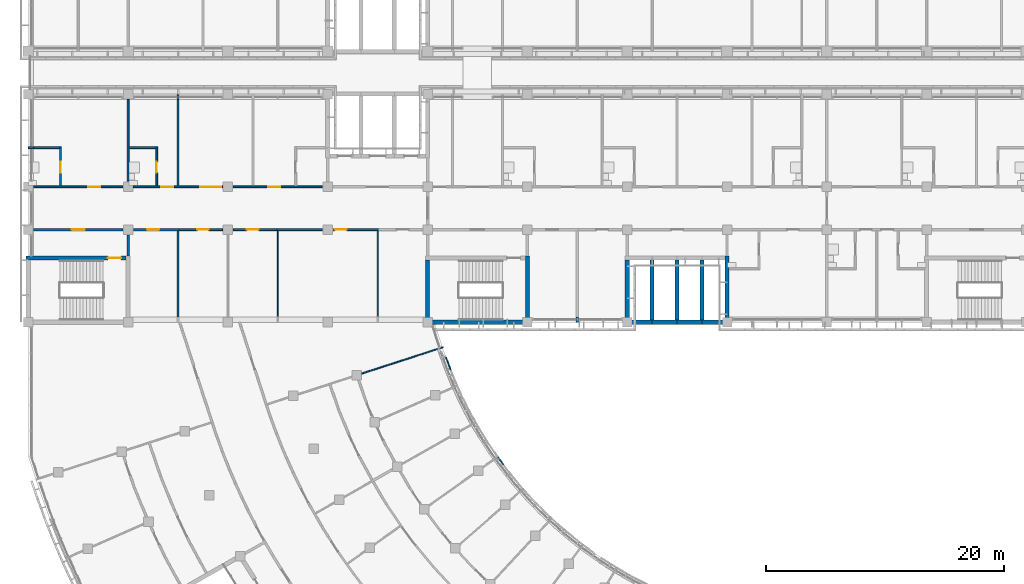
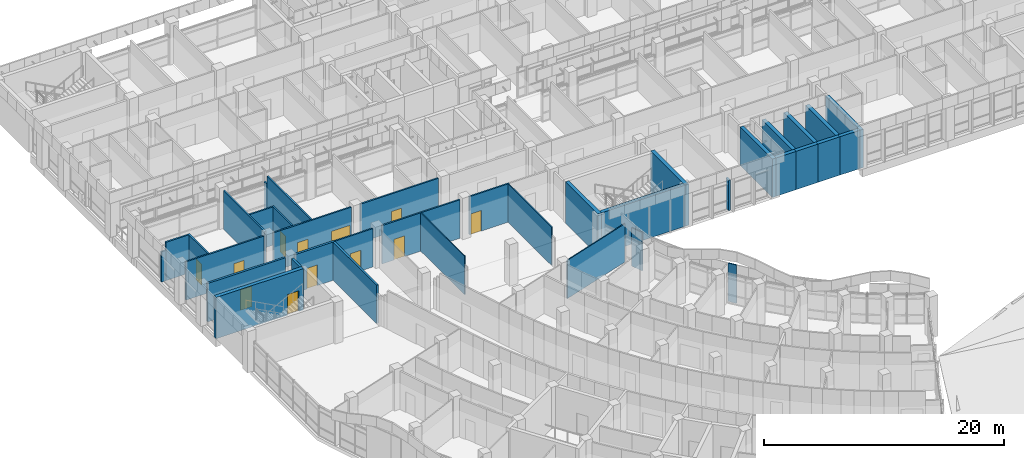
# One storey, part 73 of 137: 38 walls, 12 doors, 12 openings.
"""IFC4 building model written with IfcOpenShell, lengths in metres."""

from ifc_helpers import new_model, si_unit, direction, frame, frame_2d, origin, place, context, subcontext, project, spatial, rectangle, extrude, material, layer, layer_set, type_object, element, fill, save


model = new_model("IFC4")

# Units and contexts
model_context = context("Model", 3, precision=1e-05, world=origin(), true_north=direction((0.0, 1.0)))
body_context = subcontext(model_context, "Body", "Model", "MODEL_VIEW")
ifc_project = project(units=[si_unit("LENGTHUNIT", "METRE"), si_unit("AREAUNIT", "SQUARE_METRE"), si_unit("VOLUMEUNIT", "CUBIC_METRE"), si_unit("PLANEANGLEUNIT", "RADIAN"), si_unit("MASSUNIT", "GRAM", prefix="KILO")], contexts=[model_context])

# Site, building, storey
site_placement = place(None, origin())
site = spatial("IfcSite", under=ifc_project, at=site_placement, CompositionType="ELEMENT")
building_placement = place(site_placement, origin())
building = spatial("IfcBuilding", under=site, at=building_placement, Name="Bougainvillea Quay General Hospital", CompositionType="ELEMENT")
storey_placement = place(building_placement, frame((0.0, 0.0, 16.800048828125)))
storey = spatial("IfcBuildingStorey", under=building, at=storey_placement, Name="L03", CompositionType="ELEMENT", Elevation=16.800048828125)

# Walls
ifc_material_1 = material(Name="Gypsum board partition on steel studs", Category="steel")
ifc_layer_1 = layer(ifc_material_1, 0.10009765625)
ifc_layer_set_1 = layer_set([ifc_layer_1], Name="Gypsum board partition on steel studs")
wall_type_1 = type_object("IfcWallType", Name="Partition 100 Gypsum board partition", PredefinedType="PARTITIONING", material=ifc_layer_set_1)
for number, where, z_axis, x_axis, name in (
    (1, (63.0, 118.050048828125, 0.0), (0.0, 0.0, 1.0), (0.0, 1.0, 0.0), "Partition 100 mm"),
    (2, (71.39990234375, 118.050048828125, 0.0), (0.0, 0.0, 1.0), (0.0, 1.0, 0.0), "Partition 100 mm"),
):
    element("IfcWall", number, at=place(storey_placement, frame(where, z_axis=z_axis, x_axis=x_axis)), inside=storey, type_object=wall_type_1, Name=name, PredefinedType="PARTITIONING", context=body_context, shape_type="SweptSolid", body=[
        extrude(rectangle(XDim=7.27490234375, YDim=0.10009765625, at=frame_2d((3.637451171875, 0.0))), origin(), (0.0, 0.0, 1.0), 3.89990234375),
    ])
ifc_layer_2 = layer(ifc_material_1, 0.10009765625)
ifc_layer_set_2 = layer_set([ifc_layer_2], Name="Gypsum board partition on steel studs")
wall_type_2 = type_object("IfcWallType", Name="Partition 100 Gypsum board partition EI 30", PredefinedType="PARTITIONING", material=ifc_layer_set_2)
wall_1_placement = place(storey_placement, frame((70.052001953125, 113.27978515625, 0.0), z_axis=(0.0, 0.0, 1.0), x_axis=(0.951069136727, 0.308978149982, 0.0)))
element("IfcWall", 3, at=wall_1_placement, inside=storey, type_object=wall_type_2, Name="Partition 100 mm EI 30", PredefinedType="PARTITIONING", context=body_context, shape_type="SweptSolid", body=[
    extrude(rectangle(XDim=7.212646484375, YDim=0.10009765625, at=frame_2d((3.6064453125, 0.0))), origin(), (0.0, 0.0, 1.0), 3.89990234375),
])
wall_2_placement = place(storey_placement, frame((77.132080078125, 114.700927734375, 0.0), z_axis=(0.0, 0.0, 1.0), x_axis=(0.350822880831, -0.936441832836, 0.0)))
element("IfcWall", 4, at=wall_2_placement, inside=storey, type_object=wall_type_2, Name="Partition 100 mm EI 30", PredefinedType="PARTITIONING", context=body_context, shape_type="SweptSolid", body=[
    extrude(rectangle(XDim=1.1572265625, YDim=0.10009765625, at=frame_2d((0.57861328125, 0.0))), origin(), (0.0, 0.0, 1.0), 3.89990234375),
])
wall_3_placement = place(storey_placement, frame((81.52880859375, 106.244140625, 0.0), z_axis=(0.0, 0.0, 1.0), x_axis=(0.590281268128, -0.807197636578, 0.0)))
element("IfcWall", 5, at=wall_3_placement, inside=storey, type_object=wall_type_2, Name="Partition 100 mm EI 30", PredefinedType="PARTITIONING", context=body_context, shape_type="SweptSolid", body=[
    extrude(rectangle(XDim=0.76318359375, YDim=0.10009765625, at=frame_2d((0.381591796875, 0.0))), origin(), (0.0, 0.0, 1.0), 3.89990234375),
])
ifc_material_2 = material(Name="Gypsum board partition on steel studs, insulated", Category="steel")
ifc_layer_3 = layer(ifc_material_2, 0.14990234375)
ifc_layer_set_3 = layer_set([ifc_layer_3], Name="Gypsum board partition on steel studs, insulated")
wall_type_3 = type_object("IfcWallType", Name="Partition 150 Gypsum board partition", PredefinedType="PARTITIONING", material=ifc_layer_set_3)
wall_4_placement = place(storey_placement, frame((50.39990234375, 129.449951171875, 0.0), z_axis=(0.0, 0.0, 1.0), x_axis=(0.0, 1.0, 0.0)))
element("IfcWall", 6, at=wall_4_placement, inside=storey, type_object=wall_type_3, Name="Partition 150 mm", PredefinedType="PARTITIONING", context=body_context, shape_type="SweptSolid", body=[
    extrude(rectangle(XDim=6.900146484375, YDim=0.14990234375, at=frame_2d((3.4501953125, 0.0))), origin(), (0.0, 0.0, 1.0), 3.89990234375),
])
wall_5_placement = place(storey_placement, frame((54.60009765625, 129.074951171875, 0.0), z_axis=(0.0, 0.0, 1.0), x_axis=(0.0, 1.0, 0.0)))
element("IfcWall", 7, at=wall_5_placement, inside=storey, type_object=wall_type_3, Name="Partition 150 mm", PredefinedType="PARTITIONING", context=body_context, shape_type="SweptSolid", body=[
    extrude(rectangle(XDim=7.275146484375, YDim=0.14990234375, at=frame_2d((3.6376953125, 0.0))), origin(), (0.0, 0.0, 1.0), 3.89990234375),
])
wall_6_placement = place(storey_placement, frame((54.60009765625, 136.35009765625, 0.0), z_axis=(0.0, 0.0, 1.0), x_axis=(0.0, 1.0, 0.0)))
element("IfcWall", 8, at=wall_6_placement, inside=storey, type_object=wall_type_3, Name="Partition 150 mm", PredefinedType="PARTITIONING", context=body_context, shape_type="SweptSolid", body=[
    extrude(rectangle(XDim=0.449951171875, YDim=0.14990234375, at=frame_2d((0.22509765625, 0.0))), origin(), (0.0, 0.0, 1.0), 3.079833984375),
])

# Wall, opening, door
wall_7_placement = place(storey_placement, frame((44.699951171875, 129.074951171875, 0.0), z_axis=(0.0, 0.0, 1.0), x_axis=(0.0, 1.0, 0.0)))
wall_7 = element("IfcWall", 9, at=wall_7_placement, inside=storey, type_object=wall_type_3, Name="Partition 150 mm", PredefinedType="PARTITIONING", context=body_context, shape_type="SweptSolid", body=[
    extrude(rectangle(XDim=3.300048828125, YDim=0.14990234375, at=frame_2d((1.64990234375, 0.0))), origin(), (0.0, 0.0, 1.0), 3.89990234375),
])
opening_1_placement = place(wall_7_placement, frame((1.125, 0.0, 0.0)))
opening_1 = element("IfcOpeningElement", 10, at=opening_1_placement, cuts=wall_7, Name="Opening L03.079", PredefinedType="OPENING", context=body_context, shape_type="SweptSolid", body=[
    extrude(rectangle(XDim=0.89990234375, YDim=2.10009765625, at=frame_2d((0.449951171875, 1.050048828125))), frame((0.0, 0.0849609375, 0.0), z_axis=(0.0, -1.0, 0.0), x_axis=(1.0, 0.0, 0.0)), (0.0, 0.0, 1.0), 0.169921875),
])
ifc_material_3 = material(Name="Solid-core timber door leaf in steel frame", Category="steel")
door_type_1 = type_object("IfcDoorType", Name="Single leaf door 900x2100", OperationType="NOTDEFINED", PredefinedType="DOOR", material=ifc_material_3)
door_1_placement = place(opening_1_placement, origin())
door_1 = element("IfcDoor", 11, at=door_1_placement, inside=storey, type_object=door_type_1, Name="DT07 L03.079", OperationType="SINGLE_SWING_LEFT", OverallHeight=2.10009765625, OverallWidth=0.89990234375, PredefinedType="DOOR", context=body_context, shape_type="SweptSolid", body=[
    extrude(rectangle(XDim=0.89990234375, YDim=2.10009765625, at=frame_2d((0.449951171875, 1.050048828125))), frame((0.0, 0.02490234375, 0.0), z_axis=(0.0, -1.0, 0.0), x_axis=(1.0, 0.0, 0.0)), (0.0, 0.0, 1.0), 0.050048828125),
])
fill(opening_1, door_1)

wall_8_placement = place(storey_placement, frame((52.800048828125, 129.074951171875, 0.0), z_axis=(0.0, 0.0, 1.0), x_axis=(0.0, 1.0, 0.0)))
wall_8 = element("IfcWall", 12, at=wall_8_placement, inside=storey, type_object=wall_type_3, Name="Partition 150 mm", PredefinedType="PARTITIONING", context=body_context, shape_type="SweptSolid", body=[
    extrude(rectangle(XDim=3.300048828125, YDim=0.14990234375, at=frame_2d((1.64990234375, 0.0))), origin(), (0.0, 0.0, 1.0), 3.89990234375),
])
opening_2_placement = place(wall_8_placement, frame((1.125, 0.0, 0.0)))
opening_2 = element("IfcOpeningElement", 13, at=opening_2_placement, cuts=wall_8, Name="Opening L03.081", PredefinedType="OPENING", context=body_context, shape_type="SweptSolid", body=[
    extrude(rectangle(XDim=0.89990234375, YDim=2.10009765625, at=frame_2d((0.449951171875, 1.050048828125))), frame((0.0, 0.0849609375, 0.0), z_axis=(0.0, -1.0, 0.0), x_axis=(1.0, 0.0, 0.0)), (0.0, 0.0, 1.0), 0.169921875),
])
door_2_placement = place(opening_2_placement, origin())
door_2 = element("IfcDoor", 14, at=door_2_placement, inside=storey, type_object=door_type_1, Name="DT07 L03.081", OperationType="SINGLE_SWING_LEFT", OverallHeight=2.10009765625, OverallWidth=0.89990234375, PredefinedType="DOOR", context=body_context, shape_type="SweptSolid", body=[
    extrude(rectangle(XDim=0.89990234375, YDim=2.10009765625, at=frame_2d((0.449951171875, 1.050048828125))), frame((0.0, 0.02490234375, 0.0), z_axis=(0.0, -1.0, 0.0), x_axis=(1.0, 0.0, 0.0)), (0.0, 0.0, 1.0), 0.050048828125),
])
fill(opening_2, door_2)

# Walls
wall_9_placement = place(storey_placement, frame((42.0, 132.300048828125, 0.0), z_axis=(0.0, 0.0, 1.0), x_axis=(1.0, 0.0, 0.0)))
element("IfcWall", 15, at=wall_9_placement, inside=storey, type_object=wall_type_3, Name="Partition 150 mm", PredefinedType="PARTITIONING", context=body_context, shape_type="SweptSolid", body=[
    extrude(rectangle(XDim=0.449951171875, YDim=0.14990234375, at=frame_2d((0.22509765625, 0.0))), origin(), (0.0, 0.0, 1.0), 3.079833984375),
])
wall_10_placement = place(storey_placement, frame((42.449951171875, 132.300048828125, 0.0), z_axis=(0.0, 0.0, 1.0), x_axis=(1.0, 0.0, 0.0)))
element("IfcWall", 16, at=wall_10_placement, inside=storey, type_object=wall_type_3, Name="Partition 150 mm", PredefinedType="PARTITIONING", context=body_context, shape_type="SweptSolid", body=[
    extrude(rectangle(XDim=2.175048828125, YDim=0.14990234375, at=frame_2d((1.08740234375, 0.0))), origin(), (0.0, 0.0, 1.0), 3.89990234375),
])
wall_11_placement = place(storey_placement, frame((50.47509765625, 132.300048828125, 0.0), z_axis=(0.0, 0.0, 1.0), x_axis=(1.0, 0.0, 0.0)))
element("IfcWall", 17, at=wall_11_placement, inside=storey, type_object=wall_type_3, Name="Partition 150 mm", PredefinedType="PARTITIONING", context=body_context, shape_type="SweptSolid", body=[
    extrude(rectangle(XDim=2.25, YDim=0.14990234375, at=frame_2d((1.125, 0.0))), origin(), (0.0, 0.0, 1.0), 3.89990234375),
])

# Wall, opening, door
ifc_layer_4 = layer(ifc_material_2, 0.14990234375)
ifc_layer_set_4 = layer_set([ifc_layer_4], Name="Gypsum board partition on steel studs, insulated")
wall_type_4 = type_object("IfcWallType", Name="Partition 150 Gypsum board partition EI 30", PredefinedType="PARTITIONING", material=ifc_layer_set_4)
wall_12_placement = place(storey_placement, frame((66.75, 129.0, 0.0), z_axis=(0.0, 0.0, 1.0), x_axis=(-1.0, 0.0, 0.0)))
wall_12 = element("IfcWall", 18, at=wall_12_placement, inside=storey, type_object=wall_type_4, Name="Partition 150 mm EI 30", PredefinedType="PARTITIONING", context=body_context, shape_type="SweptSolid", body=[
    extrude(rectangle(XDim=7.5, YDim=0.14990234375, at=frame_2d((3.75, 0.0))), origin(), (0.0, 0.0, 1.0), 3.89990234375),
])
opening_3_placement = place(wall_12_placement, frame((3.550048828125, 0.0, 0.0)))
opening_3 = element("IfcOpeningElement", 19, at=opening_3_placement, cuts=wall_12, Name="Opening L03.083", PredefinedType="OPENING", context=body_context, shape_type="SweptSolid", body=[
    extrude(rectangle(XDim=1.0, YDim=2.10009765625, at=frame_2d((0.5, 1.050048828125))), frame((0.0, 0.0849609375, 0.0), z_axis=(0.0, -1.0, 0.0), x_axis=(1.0, 0.0, 0.0)), (0.0, 0.0, 1.0), 0.169921875),
])
door_type_2 = type_object("IfcDoorType", Name="Single leaf door 1000x2100 FD30S", OperationType="NOTDEFINED", PredefinedType="DOOR", material=ifc_material_3)
door_3_placement = place(opening_3_placement, frame((1.0, 0.0, 0.0), z_axis=(0.0, 0.0, 1.0), x_axis=(-1.0, 0.0, 0.0)))
door_3 = element("IfcDoor", 20, at=door_3_placement, inside=storey, type_object=door_type_2, Name="DT15 L03.083", OperationType="SINGLE_SWING_LEFT", OverallHeight=2.10009765625, OverallWidth=1.0, PredefinedType="DOOR", context=body_context, shape_type="SweptSolid", body=[
    extrude(rectangle(XDim=1.0, YDim=2.10009765625, at=frame_2d((0.5, 1.050048828125))), frame((0.0, 0.02490234375, 0.0), z_axis=(0.0, -1.0, 0.0), x_axis=(1.0, 0.0, 0.0)), (0.0, 0.0, 1.0), 0.050048828125),
])
fill(opening_3, door_3)

# Wall, openings, doors
wall_13_placement = place(storey_placement, frame((58.35009765625, 129.0, 0.0), z_axis=(0.0, 0.0, 1.0), x_axis=(-1.0, 0.0, 0.0)))
wall_13 = element("IfcWall", 21, at=wall_13_placement, inside=storey, type_object=wall_type_4, Name="Partition 150 mm EI 30", PredefinedType="PARTITIONING", context=body_context, shape_type="SweptSolid", body=[
    extrude(rectangle(XDim=7.5, YDim=0.14990234375, at=frame_2d((3.75, 0.0))), origin(), (0.0, 0.0, 1.0), 3.89990234375),
])
opening_4_placement = place(wall_13_placement, frame((4.14990234375, 0.0, 0.0)))
opening_4 = element("IfcOpeningElement", 22, at=opening_4_placement, cuts=wall_13, Name="Opening L03.080", PredefinedType="OPENING", context=body_context, shape_type="SweptSolid", body=[
    extrude(rectangle(XDim=1.0, YDim=2.10009765625, at=frame_2d((0.5, 1.050048828125))), frame((0.0, 0.0849609375, 0.0), z_axis=(0.0, -1.0, 0.0), x_axis=(1.0, 0.0, 0.0)), (0.0, 0.0, 1.0), 0.169921875),
])
opening_5_placement = place(wall_13_placement, frame((0.10009765625, 0.0, 0.0)))
opening_5 = element("IfcOpeningElement", 23, at=opening_5_placement, cuts=wall_13, Name="Opening L03.082", PredefinedType="OPENING", context=body_context, shape_type="SweptSolid", body=[
    extrude(rectangle(XDim=1.800048828125, YDim=2.10009765625, at=frame_2d((0.89990234375, 1.050048828125))), frame((0.0, 0.0849609375, 0.0), z_axis=(0.0, -1.0, 0.0), x_axis=(1.0, 0.0, 0.0)), (0.0, 0.0, 1.0), 0.169921875),
])
ifc_material_4 = material(Name="Solid-core timber door leaves in steel frame", Category="steel")
door_type_3 = type_object("IfcDoorType", Name="Double leaf door 1800x2100 FD30S", OperationType="DOUBLE_DOOR_SINGLE_SWING", PredefinedType="DOOR", material=ifc_material_4)
door_4_placement = place(opening_5_placement, frame((1.800048828125, 0.0, 0.0), z_axis=(0.0, 0.0, 1.0), x_axis=(-1.0, 0.0, 0.0)))
door_4 = element("IfcDoor", 24, at=door_4_placement, inside=storey, type_object=door_type_3, Name="DT17 L03.082", OperationType="DOUBLE_DOOR_SINGLE_SWING", OverallHeight=2.10009765625, OverallWidth=1.800048828125, PredefinedType="DOOR", context=body_context, shape_type="SweptSolid", body=[
    extrude(rectangle(XDim=1.800048828125, YDim=2.10009765625, at=frame_2d((0.89990234375, 1.050048828125))), frame((0.0, 0.02490234375, 0.0), z_axis=(0.0, -1.0, 0.0), x_axis=(1.0, 0.0, 0.0)), (0.0, 0.0, 1.0), 0.050048828125),
])
fill(opening_5, door_4)
door_5_placement = place(opening_4_placement, frame((1.0, 0.0, 0.0), z_axis=(0.0, 0.0, 1.0), x_axis=(-1.0, 0.0, 0.0)))
door_5 = element("IfcDoor", 25, at=door_5_placement, inside=storey, type_object=door_type_2, Name="DT15 L03.080", OperationType="SINGLE_SWING_LEFT", OverallHeight=2.10009765625, OverallWidth=1.0, PredefinedType="DOOR", context=body_context, shape_type="SweptSolid", body=[
    extrude(rectangle(XDim=1.0, YDim=2.10009765625, at=frame_2d((0.5, 1.050048828125))), frame((0.0, 0.02490234375, 0.0), z_axis=(0.0, -1.0, 0.0), x_axis=(1.0, 0.0, 0.0)), (0.0, 0.0, 1.0), 0.050048828125),
])
fill(opening_4, door_5)

# Wall, opening, door
wall_14_placement = place(storey_placement, frame((49.949951171875, 129.0, 0.0), z_axis=(0.0, 0.0, 1.0), x_axis=(-1.0, 0.0, 0.0)))
wall_14 = element("IfcWall", 26, at=wall_14_placement, inside=storey, type_object=wall_type_4, Name="Partition 150 mm EI 30", PredefinedType="PARTITIONING", context=body_context, shape_type="SweptSolid", body=[
    extrude(rectangle(XDim=7.5, YDim=0.14990234375, at=frame_2d((3.75, 0.0))), origin(), (0.0, 0.0, 1.0), 3.89990234375),
])
opening_6_placement = place(wall_14_placement, frame((1.89990234375, 0.0, 0.0)))
opening_6 = element("IfcOpeningElement", 27, at=opening_6_placement, cuts=wall_14, Name="Opening L03.078", PredefinedType="OPENING", context=body_context, shape_type="SweptSolid", body=[
    extrude(rectangle(XDim=1.0, YDim=2.10009765625, at=frame_2d((0.5, 1.050048828125))), frame((0.0, 0.0849609375, 0.0), z_axis=(0.0, -1.0, 0.0), x_axis=(1.0, 0.0, 0.0)), (0.0, 0.0, 1.0), 0.169921875),
])
door_6_placement = place(opening_6_placement, frame((1.0, 0.0, 0.0), z_axis=(0.0, 0.0, 1.0), x_axis=(-1.0, 0.0, 0.0)))
door_6 = element("IfcDoor", 28, at=door_6_placement, inside=storey, type_object=door_type_2, Name="DT15 L03.078", OperationType="SINGLE_SWING_RIGHT", OverallHeight=2.10009765625, OverallWidth=1.0, PredefinedType="DOOR", context=body_context, shape_type="SweptSolid", body=[
    extrude(rectangle(XDim=1.0, YDim=2.10009765625, at=frame_2d((0.5, 1.050048828125))), frame((0.0, 0.02490234375, 0.0), z_axis=(0.0, -1.0, 0.0), x_axis=(1.0, 0.0, 0.0)), (0.0, 0.0, 1.0), 0.050048828125),
])
fill(opening_6, door_6)

# Wall
wall_15_placement = place(storey_placement, frame((62.925048828125, 125.39990234375, 0.0), z_axis=(0.0, 0.0, 1.0), x_axis=(1.0, 0.0, 0.0)))
element("IfcWall", 29, at=wall_15_placement, inside=storey, type_object=wall_type_4, Name="Partition 150 mm EI 30", PredefinedType="PARTITIONING", context=body_context, shape_type="SweptSolid", body=[
    extrude(rectangle(XDim=3.824951171875, YDim=0.14990234375, at=frame_2d((1.91259765625, 0.0))), origin(), (0.0, 0.0, 1.0), 3.89990234375),
])

# Wall, opening, door
wall_16_placement = place(storey_placement, frame((67.64990234375, 125.39990234375, 0.0), z_axis=(0.0, 0.0, 1.0), x_axis=(1.0, 0.0, 0.0)))
wall_16 = element("IfcWall", 30, at=wall_16_placement, inside=storey, type_object=wall_type_4, Name="Partition 150 mm EI 30", PredefinedType="PARTITIONING", context=body_context, shape_type="SweptSolid", body=[
    extrude(rectangle(XDim=3.8251953125, YDim=0.14990234375, at=frame_2d((1.91259765625, 0.0))), origin(), (0.0, 0.0, 1.0), 3.89990234375),
])
opening_7_placement = place(wall_16_placement, frame((0.14990234375, 0.0, 0.0)))
opening_7 = element("IfcOpeningElement", 31, at=opening_7_placement, cuts=wall_16, Name="Opening L03.087", PredefinedType="OPENING", context=body_context, shape_type="SweptSolid", body=[
    extrude(rectangle(XDim=1.0, YDim=2.10009765625, at=frame_2d((0.5, 1.050048828125))), frame((0.0, 0.0849609375, 0.0), z_axis=(0.0, -1.0, 0.0), x_axis=(1.0, 0.0, 0.0)), (0.0, 0.0, 1.0), 0.169921875),
])
door_7_placement = place(opening_7_placement, frame((1.0, 0.0, 0.0), z_axis=(0.0, 0.0, 1.0), x_axis=(-1.0, 0.0, 0.0)))
door_7 = element("IfcDoor", 32, at=door_7_placement, inside=storey, type_object=door_type_2, Name="DT15 L03.087", OperationType="SINGLE_SWING_RIGHT", OverallHeight=2.10009765625, OverallWidth=1.0, PredefinedType="DOOR", context=body_context, shape_type="SweptSolid", body=[
    extrude(rectangle(XDim=1.0, YDim=2.10009765625, at=frame_2d((0.5, 1.050048828125))), frame((0.0, 0.02490234375, 0.0), z_axis=(0.0, -1.0, 0.0), x_axis=(1.0, 0.0, 0.0)), (0.0, 0.0, 1.0), 0.050048828125),
])
fill(opening_7, door_7)

ifc_layer_5 = layer(ifc_material_2, 0.14990234375)
ifc_layer_set_5 = layer_set([ifc_layer_5], Name="Gypsum board partition on steel studs, insulated")
wall_type_5 = type_object("IfcWallType", Name="Partition 150 Gypsum board partition EI 60", PredefinedType="PARTITIONING", material=ifc_layer_set_5)
wall_17_placement = place(storey_placement, frame((54.699951171875, 125.39990234375, 0.0), z_axis=(0.0, 0.0, 1.0), x_axis=(1.0, 0.0, 0.0)))
wall_17 = element("IfcWall", 33, at=wall_17_placement, inside=storey, type_object=wall_type_5, Name="Partition 150 mm EI 60", PredefinedType="PARTITIONING", context=body_context, shape_type="SweptSolid", body=[
    extrude(rectangle(XDim=3.650146484375, YDim=0.14990234375, at=frame_2d((1.8251953125, 0.0))), origin(), (0.0, 0.0, 1.0), 3.89990234375),
])
opening_8_placement = place(wall_17_placement, frame((1.5, 0.0, 0.0)))
opening_8 = element("IfcOpeningElement", 34, at=opening_8_placement, cuts=wall_17, Name="Opening L03.085", PredefinedType="OPENING", context=body_context, shape_type="SweptSolid", body=[
    extrude(rectangle(XDim=1.0, YDim=2.10009765625, at=frame_2d((0.5, 1.050048828125))), frame((0.0, 0.0849609375, 0.0), z_axis=(0.0, -1.0, 0.0), x_axis=(1.0, 0.0, 0.0)), (0.0, 0.0, 1.0), 0.169921875),
])
door_type_4 = type_object("IfcDoorType", Name="Single leaf door 1000x2100 FD60", OperationType="NOTDEFINED", PredefinedType="DOOR", material=ifc_material_3)
door_8_placement = place(opening_8_placement, frame((1.0, 0.0, 0.0), z_axis=(0.0, 0.0, 1.0), x_axis=(-1.0, 0.0, 0.0)))
door_8 = element("IfcDoor", 35, at=door_8_placement, inside=storey, type_object=door_type_4, Name="DT14 L03.085", OperationType="SINGLE_SWING_LEFT", OverallHeight=2.10009765625, OverallWidth=1.0, PredefinedType="DOOR", context=body_context, shape_type="SweptSolid", body=[
    extrude(rectangle(XDim=1.0, YDim=2.10009765625, at=frame_2d((0.5, 1.050048828125))), frame((0.0, 0.02490234375, 0.0), z_axis=(0.0, -1.0, 0.0), x_axis=(1.0, 0.0, 0.0)), (0.0, 0.0, 1.0), 0.050048828125),
])
fill(opening_8, door_8)

wall_18_placement = place(storey_placement, frame((59.25, 125.39990234375, 0.0), z_axis=(0.0, 0.0, 1.0), x_axis=(1.0, 0.0, 0.0)))
wall_18 = element("IfcWall", 36, at=wall_18_placement, inside=storey, type_object=wall_type_5, Name="Partition 150 mm EI 60", PredefinedType="PARTITIONING", context=body_context, shape_type="SweptSolid", body=[
    extrude(rectangle(XDim=3.675048828125, YDim=0.14990234375, at=frame_2d((1.83740234375, 0.0))), origin(), (0.0, 0.0, 1.0), 3.89990234375),
])
opening_9_placement = place(wall_18_placement, frame((1.14990234375, 0.0, 0.0)))
opening_9 = element("IfcOpeningElement", 37, at=opening_9_placement, cuts=wall_18, Name="Opening L03.086", PredefinedType="OPENING", context=body_context, shape_type="SweptSolid", body=[
    extrude(rectangle(XDim=1.0, YDim=2.10009765625, at=frame_2d((0.5, 1.050048828125))), frame((0.0, 0.0849609375, 0.0), z_axis=(0.0, -1.0, 0.0), x_axis=(1.0, 0.0, 0.0)), (0.0, 0.0, 1.0), 0.169921875),
])
door_9_placement = place(opening_9_placement, frame((1.0, 0.0, 0.0), z_axis=(0.0, 0.0, 1.0), x_axis=(-1.0, 0.0, 0.0)))
door_9 = element("IfcDoor", 38, at=door_9_placement, inside=storey, type_object=door_type_4, Name="DT14 L03.086", OperationType="SINGLE_SWING_RIGHT", OverallHeight=2.10009765625, OverallWidth=1.0, PredefinedType="DOOR", context=body_context, shape_type="SweptSolid", body=[
    extrude(rectangle(XDim=1.0, YDim=2.10009765625, at=frame_2d((0.5, 1.050048828125))), frame((0.0, 0.02490234375, 0.0), z_axis=(0.0, -1.0, 0.0), x_axis=(1.0, 0.0, 0.0)), (0.0, 0.0, 1.0), 0.050048828125),
])
fill(opening_9, door_9)

ifc_material_5 = material(Name="Fire-rated autoclaved aerated block wall, plastered")
ifc_layer_6 = layer(ifc_material_5, 0.199951171875)
ifc_layer_set_6 = layer_set([ifc_layer_6], Name="Fire-rated autoclaved aerated block wall, plastered")
wall_type_6 = type_object("IfcWallType", Name="Partition 200 Fire-rated autoclaved aerated block wall EI 120", PredefinedType="SOLIDWALL", material=ifc_layer_set_6)
wall_19_placement = place(storey_placement, frame((42.449951171875, 125.39990234375, 0.0), z_axis=(0.0, 0.0, 1.0), x_axis=(1.0, 0.0, 0.0)))
wall_19 = element("IfcWall", 39, at=wall_19_placement, inside=storey, type_object=wall_type_6, Name="Partition 200 mm EI 120", PredefinedType="SOLIDWALL", context=body_context, shape_type="SweptSolid", body=[
    extrude(rectangle(XDim=7.5, YDim=0.199951171875, at=frame_2d((3.75, 0.0))), origin(), (0.0, 0.0, 1.0), 3.89990234375),
])
opening_10_placement = place(wall_19_placement, frame((3.199951171875, 0.0, 0.0)))
opening_10 = element("IfcOpeningElement", 40, at=opening_10_placement, cuts=wall_19, Name="Opening L03.206", PredefinedType="OPENING", context=body_context, shape_type="SweptSolid", body=[
    extrude(rectangle(XDim=1.10009765625, YDim=2.10009765625, at=frame_2d((0.550048828125, 1.050048828125))), frame((0.0, 0.10986328125, 0.0), z_axis=(0.0, -1.0, 0.0), x_axis=(1.0, 0.0, 0.0)), (0.0, 0.0, 1.0), 0.219970703125),
])
ifc_material_6 = material(Name="Steel fire door leaf in steel frame", Category="steel")
door_type_5 = type_object("IfcDoorType", Name="Steel single leaf door 1100x2100 FD60", OperationType="NOTDEFINED", PredefinedType="DOOR", material=ifc_material_6)
door_10_placement = place(opening_10_placement, frame((1.10009765625, 0.0, 0.0), z_axis=(0.0, 0.0, 1.0), x_axis=(-1.0, 0.0, 0.0)))
door_10 = element("IfcDoor", 41, at=door_10_placement, inside=storey, type_object=door_type_5, Name="DT04 L03.206", OperationType="SINGLE_SWING_LEFT", OverallHeight=2.10009765625, OverallWidth=1.10009765625, PredefinedType="DOOR", context=body_context, shape_type="SweptSolid", body=[
    extrude(rectangle(XDim=1.10009765625, YDim=2.10009765625, at=frame_2d((0.550048828125, 1.050048828125))), frame((0.0, 0.02490234375, 0.0), z_axis=(0.0, -1.0, 0.0), x_axis=(1.0, 0.0, 0.0)), (0.0, 0.0, 1.0), 0.050048828125),
])
fill(opening_10, door_10)

wall_20_placement = place(storey_placement, frame((50.85009765625, 125.39990234375, 0.0), z_axis=(0.0, 0.0, 1.0), x_axis=(1.0, 0.0, 0.0)))
wall_20 = element("IfcWall", 42, at=wall_20_placement, inside=storey, type_object=wall_type_6, Name="Partition 200 mm EI 120", PredefinedType="SOLIDWALL", context=body_context, shape_type="SweptSolid", body=[
    extrude(rectangle(XDim=3.849853515625, YDim=0.199951171875, at=frame_2d((1.9248046875, 0.0))), origin(), (0.0, 0.0, 1.0), 3.89990234375),
])
opening_11_placement = place(wall_20_placement, frame((1.14990234375, 0.0, 0.0)))
opening_11 = element("IfcOpeningElement", 43, at=opening_11_placement, cuts=wall_20, Name="Opening L03.132", PredefinedType="OPENING", context=body_context, shape_type="SweptSolid", body=[
    extrude(rectangle(XDim=1.0, YDim=2.10009765625, at=frame_2d((0.5, 1.050048828125))), frame((0.0, 0.10986328125, 0.0), z_axis=(0.0, -1.0, 0.0), x_axis=(1.0, 0.0, 0.0)), (0.0, 0.0, 1.0), 0.219970703125),
])
door_type_6 = type_object("IfcDoorType", Name="Steel single leaf door 1000x2100 FD90", OperationType="NOTDEFINED", PredefinedType="DOOR", material=ifc_material_6)
door_11_placement = place(opening_11_placement, frame((1.0, 0.0, 0.0), z_axis=(0.0, 0.0, 1.0), x_axis=(-1.0, 0.0, 0.0)))
door_11 = element("IfcDoor", 44, at=door_11_placement, inside=storey, type_object=door_type_6, Name="DT11 L03.132", OperationType="SINGLE_SWING_RIGHT", OverallHeight=2.10009765625, OverallWidth=1.0, PredefinedType="DOOR", context=body_context, shape_type="SweptSolid", body=[
    extrude(rectangle(XDim=1.0, YDim=2.10009765625, at=frame_2d((0.5, 1.050048828125))), frame((0.0, 0.02490234375, 0.0), z_axis=(0.0, -1.0, 0.0), x_axis=(1.0, 0.0, 0.0)), (0.0, 0.0, 1.0), 0.050048828125),
])
fill(opening_11, door_11)

# Walls
wall_21_placement = place(storey_placement, frame((50.39990234375, 123.175048828125, 0.0), z_axis=(0.0, 0.0, 1.0), x_axis=(0.0, 1.0, 0.0)))
element("IfcWall", 45, at=wall_21_placement, inside=storey, type_object=wall_type_6, Name="Partition 200 mm EI 120", PredefinedType="SOLIDWALL", context=body_context, shape_type="SweptSolid", body=[
    extrude(rectangle(XDim=1.77490234375, YDim=0.199951171875, at=frame_2d((0.887451171875, 0.0))), origin(), (0.0, 0.0, 1.0), 3.89990234375),
])
wall_22_placement = place(storey_placement, frame((54.60009765625, 118.050048828125, 0.0), z_axis=(0.0, 0.0, 1.0), x_axis=(0.0, 1.0, 0.0)))
element("IfcWall", 46, at=wall_22_placement, inside=storey, type_object=wall_type_6, Name="Partition 200 mm EI 120", PredefinedType="SOLIDWALL", context=body_context, shape_type="SweptSolid", body=[
    extrude(rectangle(XDim=7.25, YDim=0.199951171875, at=frame_2d((3.625, 0.0))), origin(), (0.0, 0.0, 1.0), 3.89990234375),
])
wall_23_placement = place(storey_placement, frame((88.199951171875, 117.60009765625, 0.0), z_axis=(0.0, 0.0, 1.0), x_axis=(0.0, 1.0, 0.0)))
element("IfcWall", 47, at=wall_23_placement, inside=storey, type_object=wall_type_6, Name="Partition 200 mm EI 120", PredefinedType="SOLIDWALL", context=body_context, shape_type="SweptSolid", body=[
    extrude(rectangle(XDim=0.449951171875, YDim=0.199951171875, at=frame_2d((0.22509765625, 0.0))), origin(), (0.0, 0.0, 1.0), 3.079833984375),
])

# Wall, opening, door
ifc_material_7 = material(Name="Concrete C40", Category="concrete")
ifc_layer_7 = layer(ifc_material_7, 0.35009765625)
ifc_layer_set_7 = layer_set([ifc_layer_7], Name="Concrete C40")
wall_type_7 = type_object("IfcWallType", Name="RC SHEAR WALL 350 C40", PredefinedType="SHEAR", material=ifc_layer_set_7)
wall_24_placement = place(storey_placement, frame((41.824951171875, 123.0, 0.0), z_axis=(0.0, 0.0, 1.0), x_axis=(1.0, 0.0, 0.0)))
wall_24 = element("IfcWall", 48, at=wall_24_placement, inside=storey, type_object=wall_type_7, Name="Shear wall L03", PredefinedType="SHEAR", context=body_context, shape_type="SweptSolid", body=[
    extrude(rectangle(XDim=8.400146484375, YDim=0.35009765625, at=frame_2d((4.2001953125, 0.0))), origin(), (0.0, 0.0, 1.0), 4.199951171875),
])
opening_12_placement = place(wall_24_placement, frame((6.875, 0.0, 0.0)))
opening_12 = element("IfcOpeningElement", 49, at=opening_12_placement, cuts=wall_24, Name="Opening L03.205", PredefinedType="OPENING", context=body_context, shape_type="SweptSolid", body=[
    extrude(rectangle(XDim=1.10009765625, YDim=2.10009765625, at=frame_2d((0.550048828125, 1.050048828125))), frame((0.0, 0.18505859375, 0.0), z_axis=(0.0, -1.0, 0.0), x_axis=(1.0, 0.0, 0.0)), (0.0, 0.0, 1.0), 0.3701171875),
])
door_12_placement = place(opening_12_placement, frame((1.10009765625, 0.0, 0.0), z_axis=(0.0, 0.0, 1.0), x_axis=(-1.0, 0.0, 0.0)))
door_12 = element("IfcDoor", 50, at=door_12_placement, inside=storey, type_object=door_type_5, Name="DT04 L03.205", OperationType="SINGLE_SWING_LEFT", OverallHeight=2.10009765625, OverallWidth=1.10009765625, PredefinedType="DOOR", context=body_context, shape_type="SweptSolid", body=[
    extrude(rectangle(XDim=1.10009765625, YDim=2.10009765625, at=frame_2d((0.550048828125, 1.050048828125))), frame((0.0, 0.02490234375, 0.0), z_axis=(0.0, -1.0, 0.0), x_axis=(1.0, 0.0, 0.0)), (0.0, 0.0, 1.0), 0.050048828125),
])
fill(opening_12, door_12)

# Walls
wall_25_placement = place(storey_placement, frame((75.60009765625, 117.425048828125, 0.0), z_axis=(0.0, 0.0, 1.0), x_axis=(0.0, 1.0, 0.0)))
element("IfcWall", 51, at=wall_25_placement, inside=storey, type_object=wall_type_7, Name="Shear wall L03", PredefinedType="SHEAR", context=body_context, shape_type="SweptSolid", body=[
    extrude(rectangle(XDim=5.39990234375, YDim=0.35009765625, at=frame_2d((2.699951171875, 0.0))), origin(), (0.0, 0.0, 1.0), 4.199951171875),
])
wall_26_placement = place(storey_placement, frame((75.77490234375, 117.60009765625, 0.0), z_axis=(0.0, 0.0, 1.0), x_axis=(1.0, 0.0, 0.0)))
element("IfcWall", 52, at=wall_26_placement, inside=storey, type_object=wall_type_7, Name="Shear wall L03", PredefinedType="SHEAR", context=body_context, shape_type="SweptSolid", body=[
    extrude(rectangle(XDim=8.050048828125, YDim=0.35009765625, at=frame_2d((4.02490234375, 0.0))), origin(), (0.0, 0.0, 1.0), 4.199951171875),
])
wall_27_placement = place(storey_placement, frame((84.0, 117.425048828125, 0.0), z_axis=(0.0, 0.0, 1.0), x_axis=(0.0, 1.0, 0.0)))
element("IfcWall", 53, at=wall_27_placement, inside=storey, type_object=wall_type_7, Name="Shear wall L03", PredefinedType="SHEAR", context=body_context, shape_type="SweptSolid", body=[
    extrude(rectangle(XDim=5.75, YDim=0.35009765625, at=frame_2d((2.875, 0.0))), origin(), (0.0, 0.0, 1.0), 4.199951171875),
])
wall_28_placement = place(storey_placement, frame((92.39990234375, 117.425048828125, 0.0), z_axis=(0.0, 0.0, 1.0), x_axis=(0.0, 1.0, 0.0)))
element("IfcWall", 54, at=wall_28_placement, inside=storey, type_object=wall_type_7, Name="Shear wall L03", PredefinedType="SHEAR", context=body_context, shape_type="SweptSolid", body=[
    extrude(rectangle(XDim=5.39990234375, YDim=0.35009765625, at=frame_2d((2.699951171875, 0.0))), origin(), (0.0, 0.0, 1.0), 3.89990234375),
])
wall_29_placement = place(storey_placement, frame((92.574951171875, 117.60009765625, 0.0), z_axis=(0.0, 0.0, 1.0), x_axis=(1.0, 0.0, 0.0)))
element("IfcWall", 55, at=wall_29_placement, inside=storey, type_object=wall_type_7, Name="Shear wall L03", PredefinedType="SHEAR", context=body_context, shape_type="SweptSolid", body=[
    extrude(rectangle(XDim=1.925048828125, YDim=0.35009765625, at=frame_2d((0.96240234375, 0.0))), origin(), (0.0, 0.0, 1.0), 3.89990234375),
])
wall_30_placement = place(storey_placement, frame((94.5, 117.60009765625, 0.0), z_axis=(0.0, 0.0, 1.0), x_axis=(1.0, 0.0, 0.0)))
element("IfcWall", 56, at=wall_30_placement, inside=storey, type_object=wall_type_7, Name="Shear wall L03", PredefinedType="SHEAR", context=body_context, shape_type="SweptSolid", body=[
    extrude(rectangle(XDim=2.10009765625, YDim=0.35009765625, at=frame_2d((1.050048828125, 0.0))), origin(), (0.0, 0.0, 1.0), 3.89990234375),
])
wall_31_placement = place(storey_placement, frame((94.5, 117.77490234375, 0.0), z_axis=(0.0, 0.0, 1.0), x_axis=(0.0, 1.0, 0.0)))
element("IfcWall", 57, at=wall_31_placement, inside=storey, type_object=wall_type_7, Name="Shear wall L03", PredefinedType="SHEAR", context=body_context, shape_type="SweptSolid", body=[
    extrude(rectangle(XDim=5.050048828125, YDim=0.35009765625, at=frame_2d((2.52490234375, 0.0))), origin(), (0.0, 0.0, 1.0), 3.89990234375),
])
wall_32_placement = place(storey_placement, frame((96.60009765625, 117.60009765625, 0.0), z_axis=(0.0, 0.0, 1.0), x_axis=(1.0, 0.0, 0.0)))
element("IfcWall", 58, at=wall_32_placement, inside=storey, type_object=wall_type_7, Name="Shear wall L03", PredefinedType="SHEAR", context=body_context, shape_type="SweptSolid", body=[
    extrude(rectangle(XDim=2.099853515625, YDim=0.35009765625, at=frame_2d((1.0498046875, 0.0))), origin(), (0.0, 0.0, 1.0), 3.89990234375),
])
wall_33_placement = place(storey_placement, frame((96.60009765625, 117.77490234375, 0.0), z_axis=(0.0, 0.0, 1.0), x_axis=(0.0, 1.0, 0.0)))
element("IfcWall", 59, at=wall_33_placement, inside=storey, type_object=wall_type_7, Name="Shear wall L03", PredefinedType="SHEAR", context=body_context, shape_type="SweptSolid", body=[
    extrude(rectangle(XDim=5.050048828125, YDim=0.35009765625, at=frame_2d((2.52490234375, 0.0))), origin(), (0.0, 0.0, 1.0), 3.89990234375),
])
wall_34_placement = place(storey_placement, frame((98.699951171875, 117.60009765625, 0.0), z_axis=(0.0, 0.0, 1.0), x_axis=(1.0, 0.0, 0.0)))
element("IfcWall", 60, at=wall_34_placement, inside=storey, type_object=wall_type_7, Name="Shear wall L03", PredefinedType="SHEAR", context=body_context, shape_type="SweptSolid", body=[
    extrude(rectangle(XDim=1.925048828125, YDim=0.35009765625, at=frame_2d((0.96240234375, 0.0))), origin(), (0.0, 0.0, 1.0), 3.89990234375),
])
wall_35_placement = place(storey_placement, frame((98.699951171875, 117.77490234375, 0.0), z_axis=(0.0, 0.0, 1.0), x_axis=(0.0, 1.0, 0.0)))
element("IfcWall", 61, at=wall_35_placement, inside=storey, type_object=wall_type_7, Name="Shear wall L03", PredefinedType="SHEAR", context=body_context, shape_type="SweptSolid", body=[
    extrude(rectangle(XDim=5.050048828125, YDim=0.35009765625, at=frame_2d((2.52490234375, 0.0))), origin(), (0.0, 0.0, 1.0), 3.89990234375),
])
wall_36_placement = place(storey_placement, frame((100.800048828125, 117.425048828125, 0.0), z_axis=(0.0, 0.0, 1.0), x_axis=(0.0, 1.0, 0.0)))
element("IfcWall", 62, at=wall_36_placement, inside=storey, type_object=wall_type_7, Name="Shear wall L03", PredefinedType="SHEAR", context=body_context, shape_type="SweptSolid", body=[
    extrude(rectangle(XDim=5.75, YDim=0.35009765625, at=frame_2d((2.875, 0.0))), origin(), (0.0, 0.0, 1.0), 3.89990234375),
])

save(model, "model.ifc")
